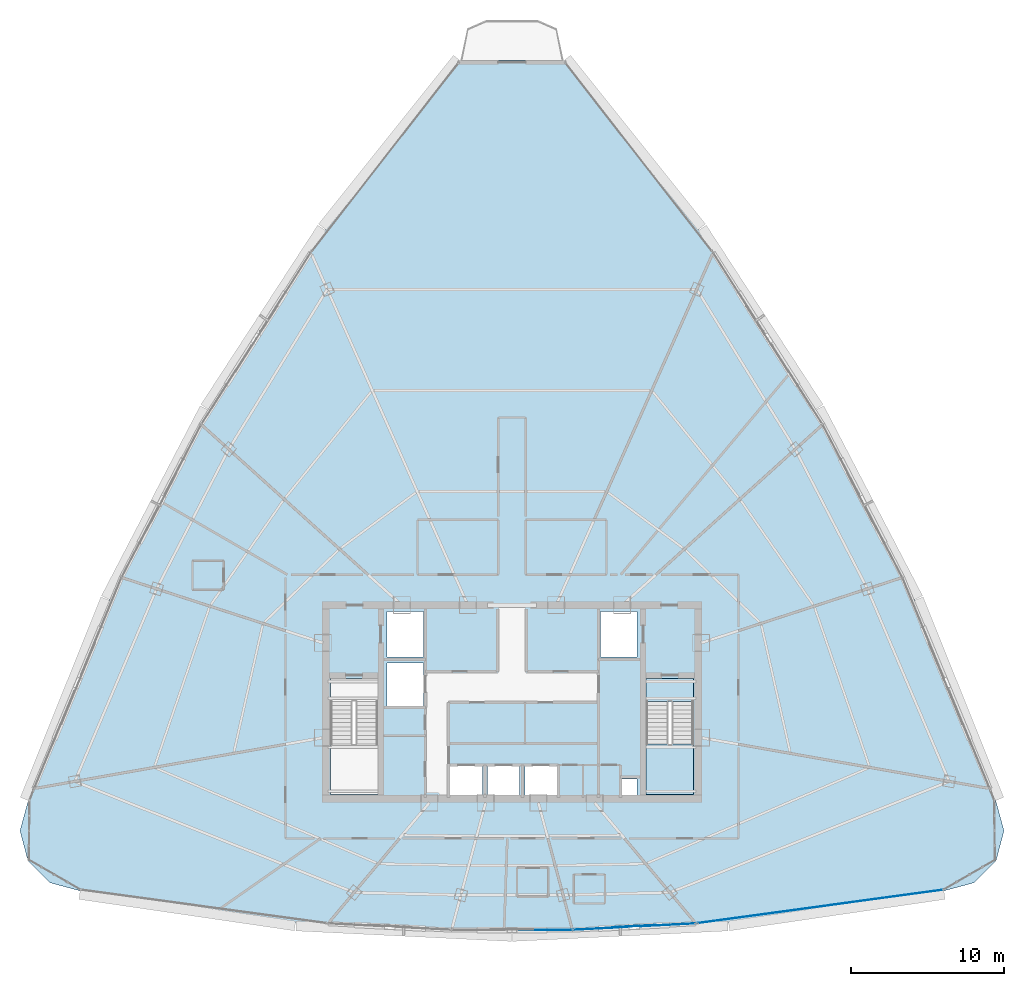
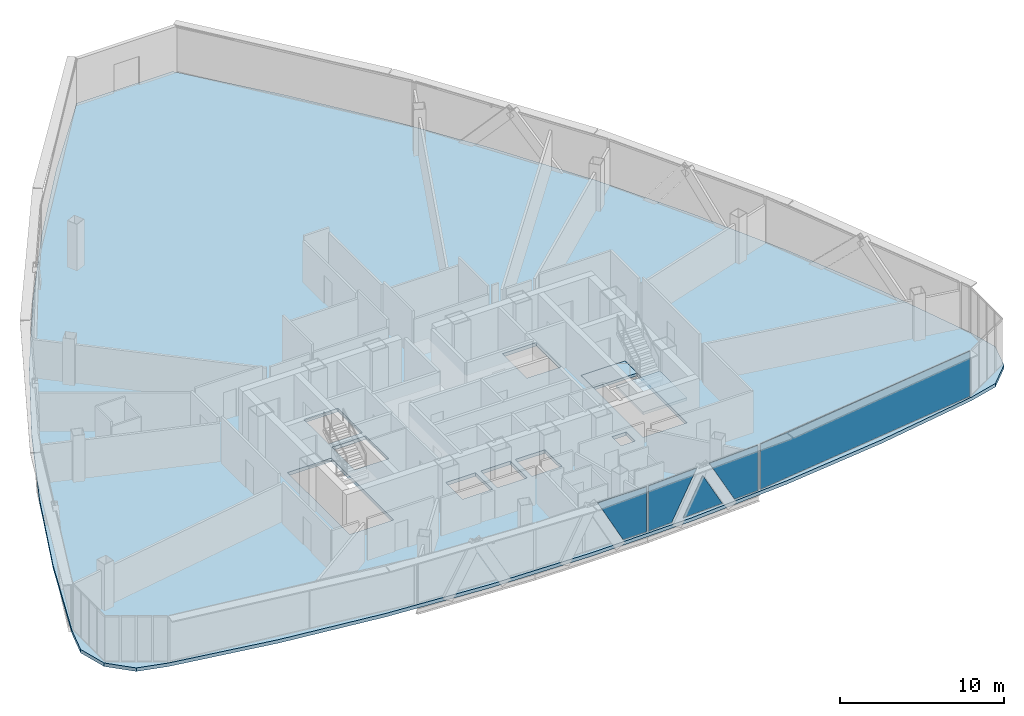
# One storey, part 31 of 40: 5 plates, 3 slabs, 4 elements without a shape of their own.
"""IFC4 building model written with IfcOpenShell, lengths in metres."""

from ifc_helpers import new_model, si_unit, direction, frame, origin, origin_2d, place, context, subcontext, project, spatial, polyline, rectangle, outline, extrude, source, transform, mapped, material, layer, layer_set, type_object, element, aggregate, save


model = new_model("IFC4")

# Units and contexts
model_context = context("Model", 3, precision=1e-05, world=origin(), true_north=direction((0.0, 1.0)))
body_context = subcontext(model_context, "Body", "Model", "MODEL_VIEW")
ifc_project = project(units=[si_unit("LENGTHUNIT", "METRE"), si_unit("AREAUNIT", "SQUARE_METRE"), si_unit("VOLUMEUNIT", "CUBIC_METRE"), si_unit("PLANEANGLEUNIT", "RADIAN"), si_unit("MASSUNIT", "GRAM", prefix="KILO"), si_unit("THERMODYNAMICTEMPERATUREUNIT", "KELVIN"), si_unit("POWERUNIT", "WATT")], contexts=[model_context])

# Site, building, storey
site_placement = place(None, origin())
site = spatial("IfcSite", under=ifc_project, at=site_placement, CompositionType="ELEMENT")
building_placement = place(site_placement, origin())
building = spatial("IfcBuilding", under=site, at=building_placement, Name="Yunzhuo Pagoda Commons", CompositionType="ELEMENT")
storey_placement = place(building_placement, frame((0.0, 0.0, 292.47998046875)))
storey = spatial("IfcBuildingStorey", under=building, at=storey_placement, Name="L73", CompositionType="ELEMENT", Elevation=292.47998046875)

# Curtain wall, plate
ifc_material_1 = material(Name="Anodized aluminium 6063-T6", Category="aluminium")
ifc_layer_1 = layer(ifc_material_1, 0.139892578125)
ifc_layer_set_1 = layer_set([ifc_layer_1], Name="Anodized aluminium 6063-T6")
curtain_wall_type = type_object("IfcCurtainWallType", Name="CW-HI High-Zone Ribbon Curtain Wall", PredefinedType="NOTDEFINED", material=ifc_layer_set_1)
curtain_wall_1_placement = place(storey_placement, origin())
curtain_wall_1 = element("IfcCurtainWall", 1, at=curtain_wall_1_placement, inside=storey, type_object=curtain_wall_type, Name="L73 curtain wall CW-L73-F1B3", PredefinedType="NOTDEFINED")
ifc_material_2 = material(Name="Tempered low-e double glazing", Category="glass")
ifc_layer_2 = layer(ifc_material_2, 0.02587890625)
ifc_layer_set_2 = layer_set([ifc_layer_2], Name="Tempered low-e double glazing")
plate_type = type_object("IfcPlateType", Name="CW-HI-P Low-E Double Glazing 26", PredefinedType="CURTAIN_PANEL", material=ifc_layer_set_2)
plate_1_placement = place(storey_placement, frame((50.18115234375, 18.9248046875, 1.735107421875), z_axis=(0.0, -1.0, 0.0), x_axis=(1.0, 0.0, 0.0)))
plate_1 = element("IfcPlate", 2, at=plate_1_placement, type_object=plate_type, Name="CW panel 1.1 lite 3", PredefinedType="CURTAIN_PANEL", context=body_context, shape_type="SweptSolid", body=[
    extrude(outline(polyline([(-1.7216796875, 1.679931640625), (0.063232421875, -1.679931640625), (1.7216796875, -1.679931640625), (1.7216796875, 1.679931640625), (-1.7216796875, 1.679931640625)])), origin(), (0.0, 0.0, 1.0), 0.028076171875),
])
aggregate(curtain_wall_1, [plate_1])

# Curtain wall, plates
curtain_wall_2_placement = place(storey_placement, origin())
curtain_wall_2 = element("IfcCurtainWall", 3, at=curtain_wall_2_placement, inside=storey, type_object=curtain_wall_type, Name="L73 curtain wall CW-L73-F1B4", PredefinedType="NOTDEFINED")
plate_2_placement = place(storey_placement, frame((53.7841796875, 19.019775390625, 1.735107421875), z_axis=(0.052189625547, -0.998637192871, 0.0), x_axis=(0.998637192871, 0.052189625547, 0.0)))
plate_2 = element("IfcPlate", 4, at=plate_2_placement, type_object=plate_type, Name="CW panel 1.1 lite 1", PredefinedType="CURTAIN_PANEL", context=body_context, shape_type="SweptSolid", body=[
    extrude(outline(polyline([(-1.7646484375, -1.679931640625), (-0.060302734375, -1.679931640625), (1.7646484375, 1.679931640625), (-1.7646484375, 1.679931640625), (-1.7646484375, -1.679931640625)])), origin(), (0.0, 0.0, 1.0), 0.028076171875),
])
plate_3_placement = place(storey_placement, frame((56.006591796875, 19.166015625, 1.364501953125), z_axis=(0.052189625547, -0.998637192871, 0.0), x_axis=(0.998637192871, 0.052189625547, 0.0)))
plate_3 = element("IfcPlate", 5, at=plate_3_placement, type_object=plate_type, Name="CW panel 1.1 lite 2", PredefinedType="CURTAIN_PANEL", context=body_context, shape_type="SweptSolid", body=[
    extrude(outline(polyline([(-1.42236328125, -1.309326171875), (1.42236328125, -1.309326171875), (0.0, 1.309326171875), (-1.42236328125, -1.309326171875)])), origin(), (0.0, 0.0, 1.0), 0.028076171875),
])
plate_4_placement = place(storey_placement, frame((58.232177734375, 19.252197265625, 1.735107421875), z_axis=(0.052189625547, -0.998637192871, 0.0), x_axis=(0.998637192871, 0.052189625547, 0.0)))
plate_4 = element("IfcPlate", 6, at=plate_4_placement, type_object=plate_type, Name="CW panel 1.1 lite 3", PredefinedType="CURTAIN_PANEL", context=body_context, shape_type="SweptSolid", body=[
    extrude(outline(polyline([(-1.7646484375, 1.679931640625), (0.060302734375, -1.679931640625), (1.7646484375, -1.679931640625), (1.7646484375, 1.679931640625), (-1.7646484375, 1.679931640625)])), origin(), (0.0, 0.0, 1.0), 0.028076171875),
])
aggregate(curtain_wall_2, [plate_2, plate_3, plate_4])

# Stair, slabs
ifc_material_3 = material(Name="Concrete C40", Category="concrete")
stair_type = type_object("IfcStairType", Name="ST-C2 Core Smokeproof Stair ST2", PredefinedType="HALF_TURN_STAIR", material=ifc_material_3)
stair_placement = place(storey_placement, origin())
stair = element("IfcStair", 7, at=stair_placement, inside=storey, type_object=stair_type, Name="L73 Core smokeproof stair ST2", PredefinedType="HALF_TURN_STAIR")
ifc_layer_3 = layer(ifc_material_3, 0.201904296875)
ifc_layer_set_3 = layer_set([ifc_layer_3], Name="Concrete C40")
slab_type_1 = type_object("IfcSlabType", Name="SL-LND2 Stair Landing Slab 202", PredefinedType="LANDING", material=ifc_layer_set_3)
slab_1_placement = place(storey_placement, frame((0.0, 0.0, 1.6650390625)))
slab_1 = element("IfcSlab", 8, at=slab_1_placement, type_object=slab_type_1, Name="ST2 landing 1", PredefinedType="LANDING", context=body_context, shape_type="SweptSolid", body=[
    extrude(outline(polyline([(56.800048828125, 31.10009765625), (56.800048828125, 27.800048828125), (59.89990234375, 27.800048828125), (59.89990234375, 31.10009765625), (56.800048828125, 31.10009765625)])), origin(), (0.0, 0.0, 1.0), 0.199951171875),
])
slab_2_placement = place(storey_placement, frame((0.0, 0.0, -0.199951171875)))
slab_2 = element("IfcSlab", 9, at=slab_2_placement, type_object=slab_type_1, Name="ST2 floor landing L73", PredefinedType="LANDING", context=body_context, shape_type="SweptSolid", body=[
    extrude(outline(polyline([(56.800048828125, 35.39990234375), (56.800048828125, 33.89990234375), (59.89990234375, 33.89990234375), (59.89990234375, 35.39990234375), (56.800048828125, 35.39990234375)])), origin(), (0.0, 0.0, 1.0), 0.199951171875),
])
aggregate(stair, [slab_1, slab_2])

# Slab
ifc_layer_4 = layer(ifc_material_3, 0.260009765625)
ifc_layer_set_4 = layer_set([ifc_layer_4], Name="Concrete C40")
slab_type_2 = type_object("IfcSlabType", Name="SL-TWR Typical Tower Floor Slab 260", PredefinedType="FLOOR", material=ifc_layer_set_4)
slab_3_placement = place(storey_placement, frame((0.0, 0.0, -0.260009765625)))
element("IfcSlab", 10, at=slab_3_placement, inside=storey, type_object=slab_type_2, Name="L73 structural floor slab", PredefinedType="FLOOR", context=body_context, shape_type="SweptSolid", body=[
    extrude(outline(polyline([(18.775390625, 34.047607421875), (21.573486328125, 40.55078125), (24.669189453125, 46.88037109375), (28.06298828125, 53.035888671875), (31.75439453125, 59.017578125), (35.743408203125, 64.82568359375), (40.030517578125, 70.459716796875), (44.614990234375, 75.920166015625), (51.385009765625, 75.920166015625), (55.969482421875, 70.459716796875), (60.256591796875, 64.82568359375), (64.24560546875, 59.017578125), (67.93701171875, 53.035888671875), (71.330810546875, 46.88037109375), (74.426513671875, 40.55078125), (77.224609375, 34.047607421875), (79.72509765625, 27.37060546875), (80.259521484375, 25.40869140625), (79.7392578125, 23.443115234375), (78.303955078125, 22.002685546875), (76.340087890625, 21.47509765625), (69.255126953125, 20.2685546875), (62.170166015625, 19.406494140625), (55.0849609375, 18.889404296875), (48.0, 18.717041015625), (40.9150390625, 18.889404296875), (33.830078125, 19.406494140625), (26.744873046875, 20.2685546875), (19.659912109375, 21.47509765625), (17.696044921875, 22.002685546875), (16.2607421875, 23.443115234375), (15.740478515625, 25.40869140625), (16.27490234375, 27.37060546875), (18.775390625, 34.047607421875)]), holes=[polyline([(56.179931640625, 28.800048828125), (55.179931640625, 28.800048828125), (55.179931640625, 27.699951171875), (56.179931640625, 27.699951171875), (56.179931640625, 28.800048828125)]), polyline([(46.050048828125, 29.64990234375), (43.949951171875, 29.64990234375), (43.949951171875, 27.60009765625), (46.050048828125, 27.60009765625), (46.050048828125, 29.64990234375)]), polyline([(48.5, 29.64990234375), (46.39990234375, 29.64990234375), (46.39990234375, 27.60009765625), (48.5, 27.60009765625), (48.5, 29.64990234375)]), polyline([(50.949951171875, 29.64990234375), (48.85009765625, 29.64990234375), (48.85009765625, 27.60009765625), (50.949951171875, 27.60009765625), (50.949951171875, 29.64990234375)]), polyline([(39.199951171875, 27.800048828125), (39.199951171875, 35.39990234375), (36.10009765625, 35.39990234375), (36.10009765625, 27.800048828125), (39.199951171875, 27.800048828125)]), polyline([(59.89990234375, 27.800048828125), (59.89990234375, 35.39990234375), (56.800048828125, 35.39990234375), (56.800048828125, 27.800048828125), (59.89990234375, 27.800048828125)]), polyline([(42.199951171875, 36.39990234375), (39.800048828125, 36.39990234375), (39.800048828125, 33.60009765625), (42.199951171875, 33.60009765625), (42.199951171875, 36.39990234375)]), polyline([(42.199951171875, 36.800048828125), (42.199951171875, 39.800048828125), (39.800048828125, 39.800048828125), (39.800048828125, 36.800048828125), (42.199951171875, 36.800048828125)]), polyline([(56.199951171875, 36.800048828125), (56.199951171875, 39.800048828125), (53.800048828125, 39.800048828125), (53.800048828125, 36.800048828125), (56.199951171875, 36.800048828125)])]), origin(), (0.0, 0.0, 1.0), 0.260009765625),
])

# Curtain wall, plate
curtain_wall_3_placement = place(storey_placement, origin())
curtain_wall_3 = element("IfcCurtainWall", 11, at=curtain_wall_3_placement, inside=storey, type_object=curtain_wall_type, Name="L73 curtain wall CW-L73-F1B5", PredefinedType="NOTDEFINED")
shared_shape = source(origin(), body_context, "Body", "SweptSolid", [
    extrude(rectangle(XDim=16.199951171875, YDim=0.028076171875, at=origin_2d()), origin(), (0.0, 0.0, 1.0), 3.360107421875),
])
plate_5_placement = place(storey_placement, frame((68.214599609375, 20.444091796875, 0.05517578125), z_axis=(0.0, 0.0, 1.0), x_axis=(0.99086548222, 0.134853980826, 0.0)))
plate_5 = element("IfcPlate", 12, at=plate_5_placement, type_object=plate_type, Name="CW panel 1.1", PredefinedType="CURTAIN_PANEL", context=body_context, shape_type="MappedRepresentation", body=[
    mapped(shared_shape, transform((0.0, 0.0, 0.0), scale=1.0)),
])
aggregate(curtain_wall_3, [plate_5])

save(model, "model.ifc")
